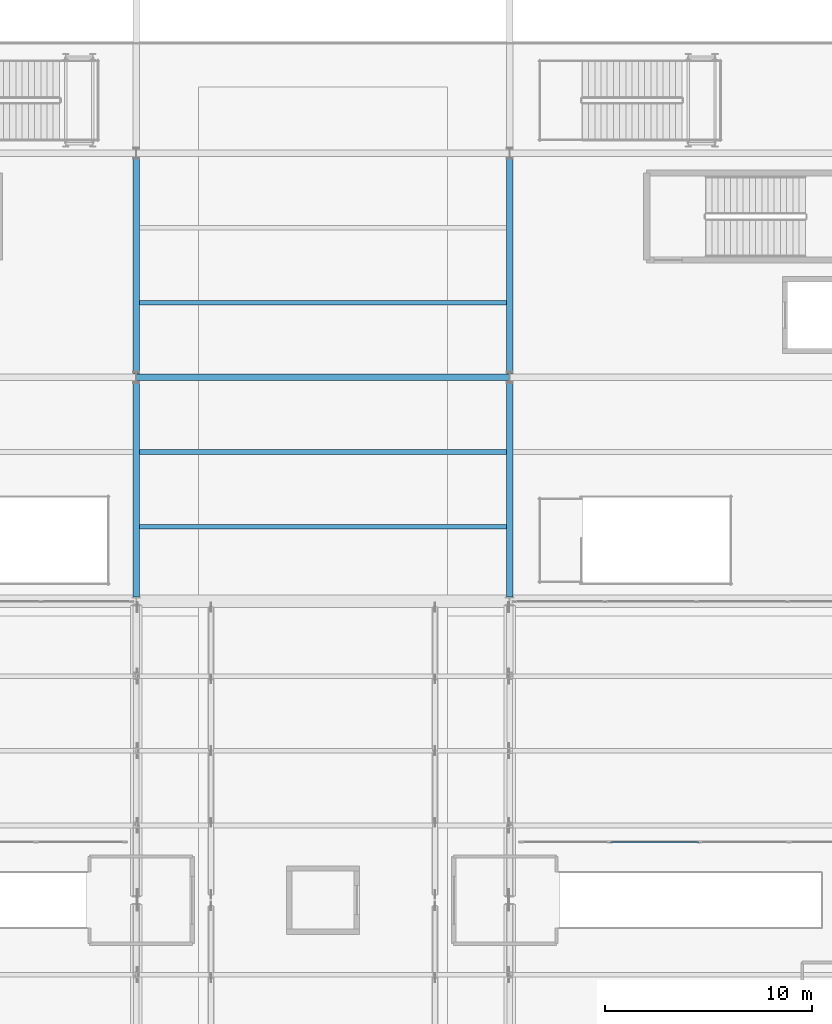
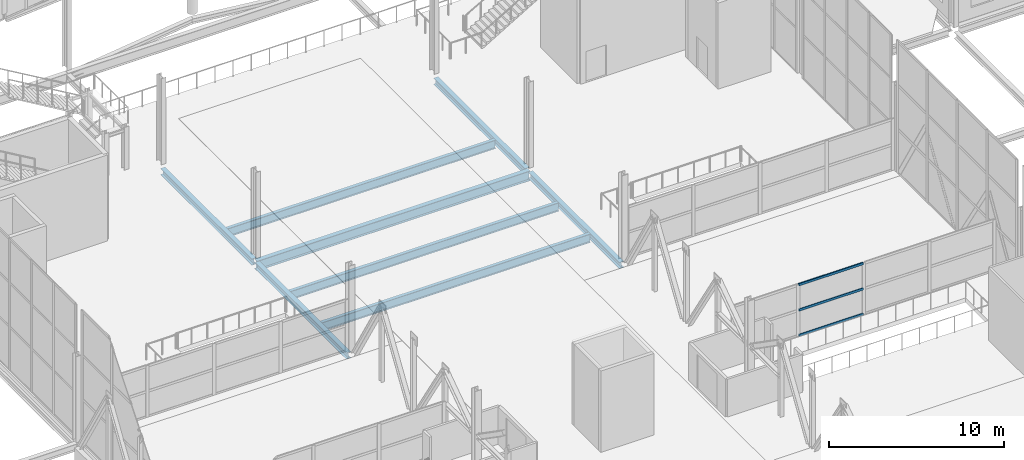
# One storey, part 106 of 191: 8 beams, 3 members, 1 element without a shape of its own.
"""IFC4 building model written with IfcOpenShell, lengths in metres."""

from ifc_helpers import new_model, si_unit, direction, frame, origin, origin_2d, place, context, subcontext, project, spatial, hollow_rectangle, i_section, extrude, material, layer, layer_set, material_profile, profile_set, type_object, element, aggregate, save


model = new_model("IFC4")

# Units and contexts
model_context = context("Model", 3, precision=1e-05, world=origin(), true_north=direction((0.0, 1.0)))
body_context = subcontext(model_context, "Body", "Model", "MODEL_VIEW")
ifc_project = project(units=[si_unit("LENGTHUNIT", "METRE"), si_unit("AREAUNIT", "SQUARE_METRE"), si_unit("VOLUMEUNIT", "CUBIC_METRE"), si_unit("PLANEANGLEUNIT", "RADIAN"), si_unit("MASSUNIT", "GRAM", prefix="KILO")], contexts=[model_context])

# Site, building, storey
site_placement = place(None, origin())
site = spatial("IfcSite", under=ifc_project, at=site_placement, CompositionType="ELEMENT")
building_placement = place(site_placement, origin())
building = spatial("IfcBuilding", under=site, at=building_placement, Name="Tamarisk Ironworks Central Station", CompositionType="ELEMENT")
storey_placement = place(building_placement, frame((0.0, 0.0, 6.60009765625)))
storey = spatial("IfcBuildingStorey", under=building, at=storey_placement, Name="L01", CompositionType="ELEMENT", Elevation=6.60009765625)

# Beams
ifc_material_1 = material(Name="Structural steel S355J2", Category="steel")
ifc_material_profile_1 = material_profile(ifc_material_1, i_section(OverallWidth=0.219970703125, OverallDepth=0.60009765625, WebThickness=0.011962890625, FlangeThickness=0.01904296875, at=origin_2d()), Name="IPE 600")
ifc_profile_set_1 = profile_set([ifc_material_profile_1], Name="Structural steel S355J2")
beam_type_1 = type_object("IfcBeamType", Name="BM-B01", PredefinedType="BEAM", material=ifc_profile_set_1)
for number, where, z_axis, x_axis, name in (
    (1, (72.135009765625, 82.800048828125, -0.60009765625), (1.0, 0.0, 0.0), (0.0, 1.0, 0.0), "L01 secondary composite beam 0027"),
    (2, (72.135009765625, 86.39990234375, -0.60009765625), (1.0, 0.0, 0.0), (0.0, 1.0, 0.0), "L01 secondary composite beam 0028"),
    (3, (72.135009765625, 93.60009765625, -0.60009765625), (1.0, 0.0, 0.0), (0.0, 1.0, 0.0), "L01 secondary composite beam 0029"),
):
    element("IfcBeam", number, at=place(storey_placement, frame(where, z_axis=z_axis, x_axis=x_axis)), inside=storey, type_object=beam_type_1, Name=name, PredefinedType="BEAM", context=body_context, shape_type="SweptSolid", body=[
        extrude(i_section(OverallWidth=0.219970703125, OverallDepth=0.60009765625, WebThickness=0.011962890625, FlangeThickness=0.01904296875, at=origin_2d()), origin(), (0.0, 0.0, 1.0), 17.72998046875),
    ])
ifc_material_profile_2 = material_profile(ifc_material_1, i_section(OverallWidth=0.300048828125, OverallDepth=0.68994140625, WebThickness=0.014404296875, FlangeThickness=0.027099609375, at=origin_2d()), Name="HEA 700")
ifc_profile_set_2 = profile_set([ifc_material_profile_2], Name="Structural steel S355J2")
beam_type_2 = type_object("IfcBeamType", Name="BM-G01", PredefinedType="BEAM", material=ifc_profile_set_2)
beam_1_placement = place(storey_placement, frame((72.00390625, 90.0, -0.64501953125), z_axis=(1.0, 0.0, 0.0), x_axis=(0.0, 1.0, 0.0)))
element("IfcBeam", 4, at=beam_1_placement, inside=storey, type_object=beam_type_2, Name="L01 primary girder X-0101", PredefinedType="BEAM", context=body_context, shape_type="SweptSolid", body=[
    extrude(i_section(OverallWidth=0.300048828125, OverallDepth=0.68994140625, WebThickness=0.014404296875, FlangeThickness=0.027099609375, at=origin_2d()), origin(), (0.0, 0.0, 1.0), 17.9921875),
])
ifc_material_profile_3 = material_profile(ifc_material_1, i_section(OverallWidth=0.300048828125, OverallDepth=0.43994140625, WebThickness=0.011474609375, FlangeThickness=0.02099609375, at=origin_2d()), Name="HEA 450")
ifc_profile_set_3 = profile_set([ifc_material_profile_3], Name="Structural steel S355J2")
beam_type_3 = type_object("IfcBeamType", Name="BM-G06", PredefinedType="BEAM", material=ifc_profile_set_3)
beam_2_placement = place(storey_placement, frame((72.0, 79.400390625, -0.52001953125), z_axis=(0.0, 1.0, 0.0), x_axis=(-1.0, 0.0, 0.0)))
element("IfcBeam", 5, at=beam_2_placement, inside=storey, type_object=beam_type_3, Name="L01 primary girder Y-0220", PredefinedType="BEAM", context=body_context, shape_type="SweptSolid", body=[
    extrude(i_section(OverallWidth=0.300048828125, OverallDepth=0.43994140625, WebThickness=0.011474609375, FlangeThickness=0.02099609375, at=origin_2d()), origin(), (0.0, 0.0, 1.0), 10.412109375),
])
beam_3_placement = place(storey_placement, frame((72.0, 90.1875, -0.52001953125), z_axis=(0.0, 1.0, 0.0), x_axis=(-1.0, 0.0, 0.0)))
element("IfcBeam", 6, at=beam_3_placement, inside=storey, type_object=beam_type_3, Name="L01 primary girder Y-0221", PredefinedType="BEAM", context=body_context, shape_type="SweptSolid", body=[
    extrude(i_section(OverallWidth=0.300048828125, OverallDepth=0.43994140625, WebThickness=0.011474609375, FlangeThickness=0.02099609375, at=origin_2d()), origin(), (0.0, 0.0, 1.0), 10.425048828125),
])
beam_4_placement = place(storey_placement, frame((90.0, 79.400390625, -0.52001953125), z_axis=(0.0, 1.0, 0.0), x_axis=(-1.0, 0.0, 0.0)))
element("IfcBeam", 7, at=beam_4_placement, inside=storey, type_object=beam_type_3, Name="L01 primary girder Y-0228", PredefinedType="BEAM", context=body_context, shape_type="SweptSolid", body=[
    extrude(i_section(OverallWidth=0.300048828125, OverallDepth=0.43994140625, WebThickness=0.011474609375, FlangeThickness=0.02099609375, at=origin_2d()), origin(), (0.0, 0.0, 1.0), 10.412109375),
])
beam_5_placement = place(storey_placement, frame((90.0, 90.1875, -0.52001953125), z_axis=(0.0, 1.0, 0.0), x_axis=(-1.0, 0.0, 0.0)))
element("IfcBeam", 8, at=beam_5_placement, inside=storey, type_object=beam_type_3, Name="L01 primary girder Y-0229", PredefinedType="BEAM", context=body_context, shape_type="SweptSolid", body=[
    extrude(i_section(OverallWidth=0.300048828125, OverallDepth=0.43994140625, WebThickness=0.011474609375, FlangeThickness=0.02099609375, at=origin_2d()), origin(), (0.0, 0.0, 1.0), 10.425048828125),
])

# Curtain wall, members
ifc_material_2 = material(Name="Anodized aluminium alloy 6063-T6", Category="aluminium")
ifc_layer = layer(ifc_material_2, 0.179931640625)
ifc_layer_set = layer_set([ifc_layer], Name="Anodized aluminium alloy 6063-T6")
curtain_wall_type = type_object("IfcCurtainWallType", Name="CW-24", PredefinedType="USERDEFINED", material=ifc_layer_set)
curtain_wall_placement = place(storey_placement, origin())
curtain_wall = element("IfcCurtainWall", 9, at=curtain_wall_placement, inside=storey, type_object=curtain_wall_type, Name="North bridge trackside east glazed screen", ObjectType="GLAZED CURTAIN WALL", PredefinedType="USERDEFINED")
ifc_material_profile_4 = material_profile(ifc_material_2, hollow_rectangle(XDim=0.074951171875, YDim=0.159912109375, WallThickness=0.00390625, at=origin_2d()), Name="ALUM 160x75")
ifc_profile_set_4 = profile_set([ifc_material_profile_4], Name="Anodized aluminium alloy 6063-T6")
member_type = type_object("IfcMemberType", Name="CWT-01", PredefinedType="USERDEFINED", material=ifc_profile_set_4)
member_1_placement = place(storey_placement, frame((94.8564453125, 67.60009765625, 0.037353515625), z_axis=(1.0, 0.0, 0.0), x_axis=(0.0, 1.0, 0.0)))
member_1 = element("IfcMember", 10, at=member_1_placement, type_object=member_type, Name="CW24 transom 2.1", ObjectType="TRANSOM", PredefinedType="USERDEFINED", context=body_context, shape_type="SweptSolid", body=[
    extrude(hollow_rectangle(XDim=0.074951171875, YDim=0.159912109375, WallThickness=0.00390625, at=origin_2d()), origin(), (0.0, 0.0, 1.0), 4.256103515625),
])
member_2_placement = place(storey_placement, frame((94.8564453125, 67.60009765625, 1.7998046875), z_axis=(1.0, 0.0, 0.0), x_axis=(0.0, 1.0, 0.0)))
member_2 = element("IfcMember", 11, at=member_2_placement, type_object=member_type, Name="CW24 transom 2.2", ObjectType="TRANSOM", PredefinedType="USERDEFINED", context=body_context, shape_type="SweptSolid", body=[
    extrude(hollow_rectangle(XDim=0.074951171875, YDim=0.159912109375, WallThickness=0.00390625, at=origin_2d()), origin(), (0.0, 0.0, 1.0), 4.256103515625),
])
member_3_placement = place(storey_placement, frame((94.8564453125, 67.60009765625, 3.5625), z_axis=(1.0, 0.0, 0.0), x_axis=(0.0, 1.0, 0.0)))
member_3 = element("IfcMember", 12, at=member_3_placement, type_object=member_type, Name="CW24 transom 2.3", ObjectType="TRANSOM", PredefinedType="USERDEFINED", context=body_context, shape_type="SweptSolid", body=[
    extrude(hollow_rectangle(XDim=0.074951171875, YDim=0.159912109375, WallThickness=0.00390625, at=origin_2d()), origin(), (0.0, 0.0, 1.0), 4.256103515625),
])
aggregate(curtain_wall, [member_1, member_2, member_3])

save(model, "model.ifc")
